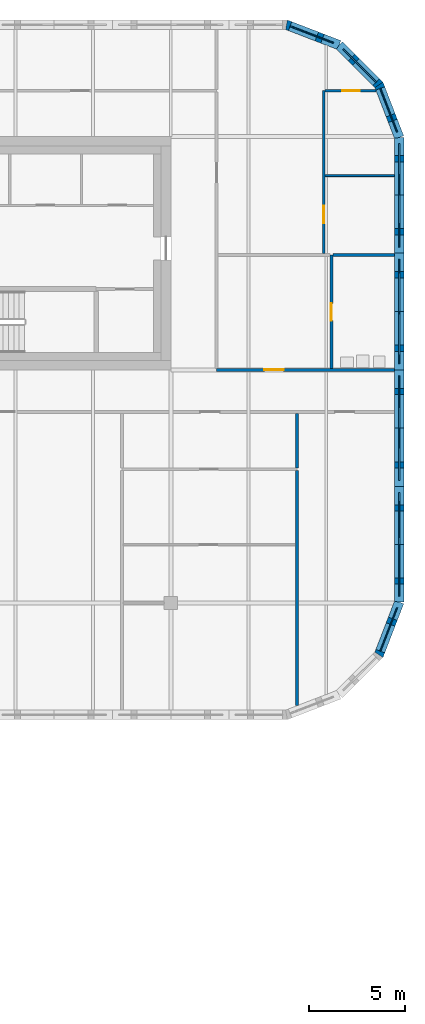
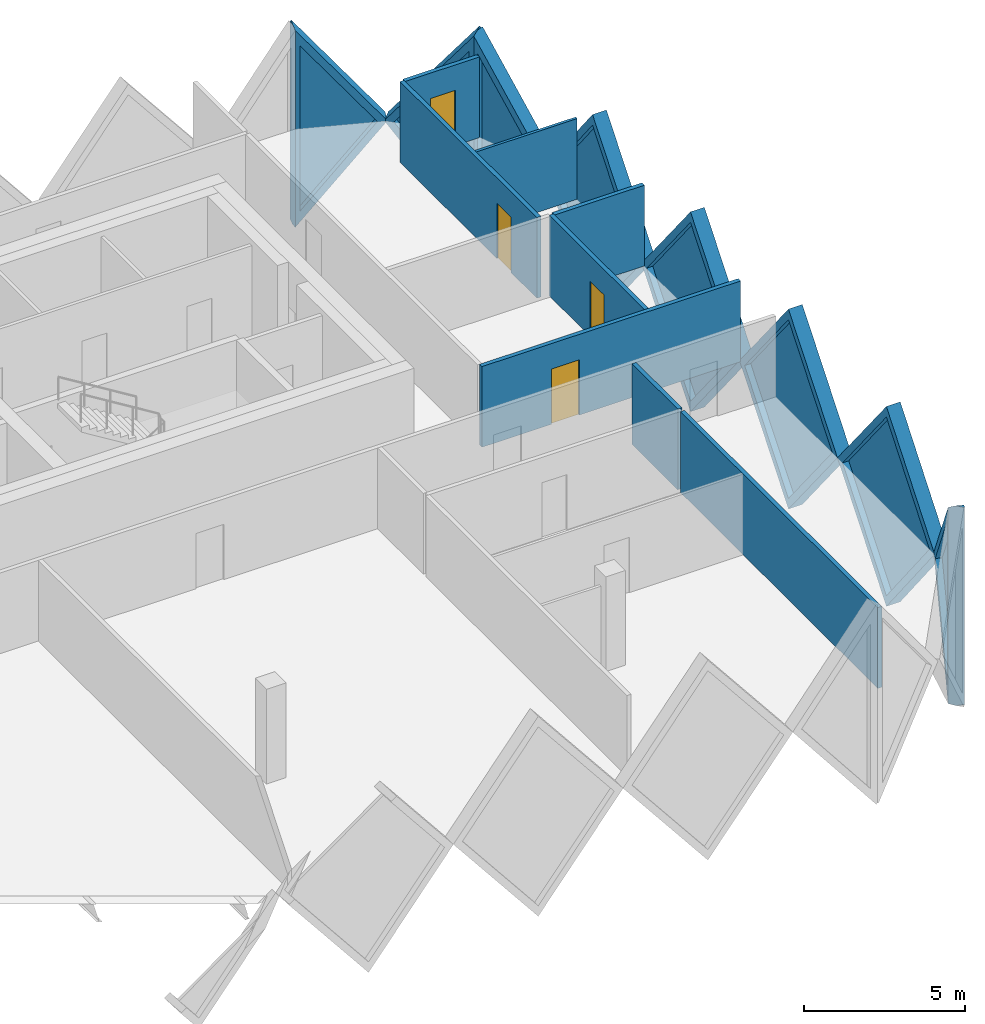
# One storey, part 15 of 19: 16 walls, 8 plates, 4 doors, 12 openings.
"""IFC4 building model written with IfcOpenShell, lengths in metres."""

import ifcopenshell
import ifcopenshell.guid

model = None  # the IFC model being written
_history = None  # IfcOwnerHistory: only IFC2X3 demands one
_inside = {}  # id of a spatial element -> (the spatial element, [elements in it])
_under = {}  # id of a project, library or spatial element -> (it, [spatial elements below it])
_declared = {}  # id of a project -> (the project, [libraries it declares])
_typed = {}  # id of a type object -> (the type object, [elements of that type])
_made_of = {}  # id of a material, layer set ... -> (it, [elements and type objects made of it])


def new_model(schema):
    """Start an empty IFC model of exactly this schema.

    Asked for "IFC4X3", IfcOpenShell would pick the latest addendum, in which some entities
    have other attributes; the version numbers below select the first issue.
    IFC2X3 requires an IfcOwnerHistory on every rooted entity: one is made here for all.
    """
    global model, _history
    if schema == "IFC4X3":
        model = ifcopenshell.file(schema_version=(4, 3, 0, 0))
    else:
        model = ifcopenshell.file(schema=schema)
    _inside.clear()
    _under.clear()
    _declared.clear()
    _typed.clear()
    _made_of.clear()
    _history = None
    if model.schema == "IFC2X3":
        org = make("IfcOrganization", Name="unknown")
        user = make(
            "IfcPersonAndOrganization",
            ThePerson=make("IfcPerson", FamilyName="unknown"),
            TheOrganization=org,
        )
        app = make(
            "IfcApplication",
            ApplicationDeveloper=org,
            Version="unknown",
            ApplicationFullName="unknown",
            ApplicationIdentifier="unknown",
        )
        _history = make(
            "IfcOwnerHistory",
            OwningUser=user,
            OwningApplication=app,
            ChangeAction="ADDED",
            CreationDate=0,
        )
    return model


def make(cls, **values):
    """One entity of the class cls with the attributes given. An attribute that is None is left unset."""
    return model.create_entity(
        cls, **{name: value for name, value in values.items() if value is not None}
    )


def rooted(cls, **values):
    """An entity with a GlobalId (a new one), such as an element, a storey or a relation."""
    return make(cls, GlobalId=ifcopenshell.guid.new(), OwnerHistory=_history, **values)


def si_unit(unit_type, name, prefix=None):
    """IfcSIUnit, for example si_unit("LENGTHUNIT", "METRE", prefix="MILLI")."""
    return make("IfcSIUnit", UnitType=unit_type, Prefix=prefix, Name=name)


def assignment(units):
    """IfcUnitAssignment: the units of a project."""
    return None if units is None else make("IfcUnitAssignment", Units=units)


def point(xyz):
    """IfcCartesianPoint."""
    return None if xyz is None else make("IfcCartesianPoint", Coordinates=xyz)


def direction(xyz):
    """IfcDirection."""
    return None if xyz is None else make("IfcDirection", DirectionRatios=xyz)


def frame(location, z_axis=None, x_axis=None):
    """IfcAxis2Placement3D, a coordinate frame: its origin and axes. An axis left out is left unset."""
    return make(
        "IfcAxis2Placement3D",
        Location=point(location),
        Axis=direction(z_axis),
        RefDirection=direction(x_axis),
    )


def frame_2d(location, x_axis=None):
    """IfcAxis2Placement2D, a coordinate frame in the plane: its origin and x axis."""
    return make(
        "IfcAxis2Placement2D", Location=point(location), RefDirection=direction(x_axis)
    )


def origin():
    """The frame at (0, 0, 0) with its axes left unset."""
    return frame((0.0, 0.0, 0.0))


def place(relative_to, where):
    """IfcLocalPlacement: puts the frame where relative to a parent placement (None: the world)."""
    return make(
        "IfcLocalPlacement", PlacementRelTo=relative_to, RelativePlacement=where
    )


def context(
    kind, dimensions, precision=None, world=None, true_north=None, identifier=None
):
    """IfcGeometricRepresentationContext, for example the 3D "Model" context."""
    return make(
        "IfcGeometricRepresentationContext",
        ContextIdentifier=identifier,
        ContextType=kind,
        CoordinateSpaceDimension=dimensions,
        Precision=precision,
        WorldCoordinateSystem=world,
        TrueNorth=true_north,
    )


def subcontext(parent, identifier, kind, view, scale=None):
    """IfcGeometricRepresentationSubContext, for example "Body" below "Model"."""
    return make(
        "IfcGeometricRepresentationSubContext",
        ContextIdentifier=identifier,
        ContextType=kind,
        ParentContext=parent,
        TargetScale=scale,
        TargetView=view,
    )


def project(units=None, contexts=None):
    """IfcProject with its units and contexts."""
    return rooted(
        "IfcProject",
        Name="project",
        RepresentationContexts=contexts,
        UnitsInContext=assignment(units),
    )


def spatial(cls, under=None, at=None, **own):
    """A site, building, storey or space (cls), placed at a placement, below another one or the project."""
    s = rooted(cls, ObjectPlacement=at, **own)
    if under is not None:
        _under.setdefault(under.id(), (under, []))[1].append(s)
    return s


def polyline(points):
    """IfcPolyline through the points."""
    return make("IfcPolyline", Points=[point(p) for p in points])


def profile(cls, at=None, kind="AREA", **sizes):
    """A parametric profile (cls). Its sizes go by their IFC names, for example OverallWidth=200.0."""
    return make(cls, ProfileType=kind, Position=at, **sizes)


def rectangle(**sizes):
    """IfcRectangleProfileDef."""
    return profile("IfcRectangleProfileDef", **sizes)


def outline(outer, holes=None, kind="AREA"):
    """IfcArbitraryClosedProfileDef: a profile drawn as a closed curve; with holes, ...WithVoids."""
    if holes is None:
        return make("IfcArbitraryClosedProfileDef", ProfileType=kind, OuterCurve=outer)
    return make(
        "IfcArbitraryProfileDefWithVoids",
        ProfileType=kind,
        OuterCurve=outer,
        InnerCurves=holes,
    )


def extrude(swept, where, along, depth):
    """IfcExtrudedAreaSolid: the profile swept, set in the frame where, extruded along a direction by depth."""
    return make(
        "IfcExtrudedAreaSolid",
        SweptArea=swept,
        Position=where,
        ExtrudedDirection=direction(along),
        Depth=depth,
    )


def faces_of(points, faces, orient=None, outer=None):
    """IfcFace entities. A face is a list of loops; a loop is a list of indices into points, from 0.

    orient and outer hold one flag for each loop. By default every Orientation is true, the
    first loop of a face is its IfcFaceOuterBound and the others are IfcFaceBound.
    """
    made = []
    for i, loops in enumerate(faces):
        bounds = []
        for j, loop in enumerate(loops):
            is_outer = j == 0 if outer is None else outer[i][j]
            bounds.append(
                make(
                    "IfcFaceOuterBound" if is_outer else "IfcFaceBound",
                    Bound=make("IfcPolyLoop", Polygon=[points[k] for k in loop]),
                    Orientation=True if orient is None else orient[i][j],
                )
            )
        made.append(make("IfcFace", Bounds=bounds))
    return made


def faceted_brep(points, faces, orient=None, outer=None, voids=None):
    """IfcFacetedBrep: a solid bounded by flat faces; with voids (closed shells), ...WithVoids."""
    shared = [point(p) for p in points]
    hull = make("IfcClosedShell", CfsFaces=faces_of(shared, faces, orient, outer))
    if voids is None:
        return make("IfcFacetedBrep", Outer=hull)
    return make(
        "IfcFacetedBrepWithVoids",
        Outer=hull,
        Voids=[
            make(cls, CfsFaces=faces_of(shared, fs, o, b)) for cls, fs, o, b in voids
        ],
    )


def shape(context_of_items, identifier, shape_type, items):
    """IfcShapeRepresentation: the items that make up one representation, for example the "Body"."""
    return make(
        "IfcShapeRepresentation",
        ContextOfItems=context_of_items,
        RepresentationIdentifier=identifier,
        RepresentationType=shape_type,
        Items=items,
    )


def source(mapping_origin, context_of_items, identifier, shape_type, items):
    """IfcRepresentationMap: a shape defined once, which mapped items show again and again."""
    return make(
        "IfcRepresentationMap",
        MappingOrigin=mapping_origin,
        MappedRepresentation=shape(context_of_items, identifier, shape_type, items),
    )


def transform(
    local_origin,
    x_axis=None,
    y_axis=None,
    z_axis=None,
    scale=None,
    scale2=None,
    scale3=None,
    uniform=True,
):
    """IfcCartesianTransformationOperator3D, or its non-uniform kind. x_axis, y_axis, z_axis: its Axis1, 2, 3."""
    if uniform:
        return make(
            "IfcCartesianTransformationOperator3D",
            Axis1=direction(x_axis),
            Axis2=direction(y_axis),
            LocalOrigin=point(local_origin),
            Scale=scale,
            Axis3=direction(z_axis),
        )
    return make(
        "IfcCartesianTransformationOperator3DnonUniform",
        Axis1=direction(x_axis),
        Axis2=direction(y_axis),
        LocalOrigin=point(local_origin),
        Scale=scale,
        Axis3=direction(z_axis),
        Scale2=scale2,
        Scale3=scale3,
    )


def mapped(mapping_source, mapping_target):
    """IfcMappedItem: shows the shape of a source again, moved by a transform."""
    return make(
        "IfcMappedItem", MappingSource=mapping_source, MappingTarget=mapping_target
    )


def material(Name=None, Category=None):
    """IfcMaterial."""
    return make("IfcMaterial", Name=Name, Category=Category)


def layer(
    of_material, thickness, ventilated=None, Name=None, Category=None, Priority=None
):
    """IfcMaterialLayer: one layer of a wall or slab, of a material (None: an air gap)."""
    return make(
        "IfcMaterialLayer",
        Material=of_material,
        LayerThickness=thickness,
        IsVentilated=ventilated,
        Name=Name,
        Category=Category,
        Priority=Priority,
    )


def layer_set(layers, Name=None):
    """IfcMaterialLayerSet."""
    return make("IfcMaterialLayerSet", MaterialLayers=layers, LayerSetName=Name)


def made_of(thing, what):
    """Note that an element or type object is made of a material, layer set ...; save() writes the relation."""
    if what is not None:
        _made_of.setdefault(what.id(), (what, []))[1].append(thing)
    return thing


def type_object(cls, material=None, **own):
    """A type object (cls), such as IfcWallType, which elements share."""
    return made_of(rooted(cls, **own), material)


def element(
    cls,
    number,
    at=None,
    inside=None,
    cuts=None,
    type_object=None,
    material=None,
    context=None,
    identifier="Body",
    shape_type=None,
    held_by="IfcProductDefinitionShape",
    body=None,
    shapes=None,
    **own,
):
    """One element of the class cls, such as IfcWall. Its Tag is "e" and its number.

    at: its placement. inside: the storey or other place that contains it. cuts: it is an
    opening in that element (IfcRelVoidsElement). A single representation is given by context,
    identifier, shape_type and body (its items); several are given by shapes. held_by: the class
    of the entity that holds the representations. save() writes the other relations.
    """
    e = rooted(cls, Tag="e%d" % number, ObjectPlacement=at, **own)
    if body is not None:
        shapes = [shape(context, identifier, shape_type, body)]
    if shapes is not None:
        e.Representation = make(held_by, Representations=shapes)
    if inside is not None:
        _inside.setdefault(inside.id(), (inside, []))[1].append(e)
    if cuts is not None:
        rooted(
            "IfcRelVoidsElement", RelatingBuildingElement=cuts, RelatedOpeningElement=e
        )
    if type_object is not None:
        _typed.setdefault(type_object.id(), (type_object, []))[1].append(e)
    return made_of(e, material)


def fill(opening, filler):
    """IfcRelFillsElement: the door or window that sits in an opening."""
    return rooted(
        "IfcRelFillsElement",
        RelatingOpeningElement=opening,
        RelatedBuildingElement=filler,
    )


def aggregate(whole, parts):
    """IfcRelAggregates: a whole, such as a stair, and the parts it consists of."""
    return rooted("IfcRelAggregates", RelatingObject=whole, RelatedObjects=parts)


def save(model, path):
    """Write the relations noted so far, then the file.

    IfcRelAggregates (storeys below a building ...), IfcRelContainedInSpatialStructure (elements
    in a storey), IfcRelDefinesByType, IfcRelAssociatesMaterial and IfcRelDeclares: one each for
    every whole, place, type object, material and project.
    """
    for whole, parts in _under.values():
        aggregate(whole, parts)
    for where, things in _inside.values():
        rooted(
            "IfcRelContainedInSpatialStructure",
            RelatedElements=things,
            RelatingStructure=where,
        )
    for kind, things in _typed.values():
        rooted("IfcRelDefinesByType", RelatedObjects=things, RelatingType=kind)
    for what, things in _made_of.values():
        rooted("IfcRelAssociatesMaterial", RelatedObjects=things, RelatingMaterial=what)
    for by, libraries in _declared.values():
        rooted("IfcRelDeclares", RelatingContext=by, RelatedDefinitions=libraries)
    model.write(path)


model = new_model("IFC4")

# Units and contexts
model_context = context("Model", 3, precision=1e-05, world=origin(), true_north=direction((0.0, 1.0)))
body_context = subcontext(model_context, "Body", "Model", "MODEL_VIEW")
ifc_project = project(units=[si_unit("LENGTHUNIT", "METRE"), si_unit("AREAUNIT", "SQUARE_METRE"), si_unit("VOLUMEUNIT", "CUBIC_METRE"), si_unit("PLANEANGLEUNIT", "RADIAN"), si_unit("MASSUNIT", "GRAM", prefix="KILO")], contexts=[model_context])

# Site, building, storey
site_placement = place(None, origin())
site = spatial("IfcSite", under=ifc_project, at=site_placement, CompositionType="ELEMENT")
building_placement = place(site_placement, origin())
building = spatial("IfcBuilding", under=site, at=building_placement, Name="Tessera Gate Towers", CompositionType="ELEMENT")
storey_placement = place(building_placement, frame((0.0, 0.0, 83.800048828125)))
storey = spatial("IfcBuildingStorey", under=building, at=storey_placement, Name="L20", CompositionType="ELEMENT", Elevation=83.800048828125)

# Wall, opening, door
ifc_material_1 = material(Name="Gypsum board on steel studs, mineral wool", Category="steel")
ifc_layer_1 = layer(ifc_material_1, 0.14990234375)
ifc_layer_set_1 = layer_set([ifc_layer_1], Name="CORRIDOR WALL 150")
wall_type_1 = type_object("IfcWallType", Name="CORRIDOR WALL 150", PredefinedType="PARTITIONING", material=ifc_layer_set_1)
wall_1_placement = place(storey_placement, frame((124.39990234375, 36.60009765625, 0.0), z_axis=(0.0, 0.0, 1.0), x_axis=(1.0, 0.0, 0.0)))
wall_1 = element("IfcWall", 1, at=wall_1_placement, inside=storey, type_object=wall_type_1, Name="T2-L20-PW-014", PredefinedType="PARTITIONING", context=body_context, shape_type="SweptSolid", body=[
    extrude(rectangle(XDim=9.300048828125, YDim=0.14990234375, at=frame_2d((4.64990234375, 0.0))), origin(), (0.0, 0.0, 1.0), 3.06689453125),
])
shared_shape_1 = source(origin(), body_context, "Body", "SweptSolid", [
    extrude(rectangle(XDim=1.0, YDim=2.10009765625, at=frame_2d((0.5, 1.050048828125))), frame((0.0, 0.0849609375, 0.0), z_axis=(0.0, -1.0, 0.0), x_axis=(1.0, 0.0, 0.0)), (0.0, 0.0, 1.0), 0.169921875),
])
opening_1_placement = place(wall_1_placement, frame((2.5, 0.0, 0.0)))
opening_1 = element("IfcOpeningElement", 2, at=opening_1_placement, cuts=wall_1, Name="Opening D2100FD60-B08-09", PredefinedType="OPENING", context=body_context, shape_type="MappedRepresentation", body=[
    mapped(shared_shape_1, transform((0.0, 0.0, 0.0), scale=1.0)),
])
ifc_material_2 = material(Name="Timber door leaf in steel frame", Category="steel")
door_type_1 = type_object("IfcDoorType", Name="TENANCY ENTRANCE DOOR 1000 FD60", OperationType="NOTDEFINED", PredefinedType="DOOR", material=ifc_material_2)
shared_shape_2 = source(origin(), body_context, "Body", "SweptSolid", [
    extrude(rectangle(XDim=1.0, YDim=2.10009765625, at=frame_2d((0.5, 1.050048828125))), frame((0.0, 0.02490234375, 0.0), z_axis=(0.0, -1.0, 0.0), x_axis=(1.0, 0.0, 0.0)), (0.0, 0.0, 1.0), 0.050048828125),
])
door_1_placement = place(opening_1_placement, origin())
door_1 = element("IfcDoor", 3, at=door_1_placement, inside=storey, type_object=door_type_1, Name="T2-L20-PD-017", OperationType="SINGLE_SWING_LEFT", OverallHeight=2.10009765625, OverallWidth=1.0, PredefinedType="DOOR", context=body_context, shape_type="MappedRepresentation", body=[
    mapped(shared_shape_2, transform((0.0, 0.0, 0.0), scale=1.0)),
])
fill(opening_1, door_1)

# Walls
ifc_material_3 = material(Name="Gypsum board on steel studs", Category="steel")
ifc_layer_2 = layer(ifc_material_3, 0.10009765625)
ifc_layer_set_2 = layer_set([ifc_layer_2], Name="PARTITION 100")
wall_type_2 = type_object("IfcWallType", Name="PARTITION 100", PredefinedType="PARTITIONING", material=ifc_layer_set_2)
wall_2_placement = place(storey_placement, frame((130.075927734375, 46.7548828125, 0.0), z_axis=(0.0, 0.0, 1.0), x_axis=(1.0, 0.0, 0.0)))
element("IfcWall", 4, at=wall_2_placement, inside=storey, type_object=wall_type_2, Name="T2-L20-PW-024", PredefinedType="PARTITIONING", context=body_context, shape_type="SweptSolid", body=[
    extrude(rectangle(XDim=3.6240234375, YDim=0.10009765625, at=frame_2d((1.81201171875, 0.0))), origin(), (0.0, 0.0, 1.0), 3.06689453125),
])
ifc_material_4 = material(Name="Gypsum board on steel studs, mineral wool", Category="steel")
ifc_layer_3 = layer(ifc_material_4, 0.14990234375)
ifc_layer_set_3 = layer_set([ifc_layer_3], Name="TENANCY WALL 150")
wall_type_3 = type_object("IfcWallType", Name="TENANCY WALL 150", PredefinedType="PARTITIONING", material=ifc_layer_set_3)
wall_3_placement = place(storey_placement, frame((128.60009765625, 19.02880859375, 0.0), z_axis=(0.0, 0.0, 1.0), x_axis=(0.0, 1.0, 0.0)))
element("IfcWall", 5, at=wall_3_placement, inside=storey, type_object=wall_type_3, Name="T2-L20-PW-004", PredefinedType="PARTITIONING", context=body_context, shape_type="SweptSolid", body=[
    extrude(rectangle(XDim=12.295166015625, YDim=0.14990234375, at=frame_2d((6.1474609375, 0.0))), origin(), (0.0, 0.0, 1.0), 3.06689453125),
])
wall_4_placement = place(storey_placement, frame((128.60009765625, 31.47607421875, 0.0), z_axis=(0.0, 0.0, 1.0), x_axis=(0.0, 1.0, 0.0)))
element("IfcWall", 6, at=wall_4_placement, inside=storey, type_object=wall_type_3, Name="T2-L20-PW-010", PredefinedType="PARTITIONING", context=body_context, shape_type="SweptSolid", body=[
    extrude(rectangle(XDim=2.847900390625, YDim=0.14990234375, at=frame_2d((1.423828125, 0.0))), origin(), (0.0, 0.0, 1.0), 3.06689453125),
])

# Wall, opening, door
wall_5_placement = place(storey_placement, frame((130.39990234375, 42.60009765625, 0.0), z_axis=(0.0, 0.0, 1.0), x_axis=(0.0, -1.0, 0.0)))
wall_5 = element("IfcWall", 7, at=wall_5_placement, inside=storey, type_object=wall_type_3, Name="T2-L20-PW-017", PredefinedType="PARTITIONING", context=body_context, shape_type="SweptSolid", body=[
    extrude(rectangle(XDim=5.924072265625, YDim=0.14990234375, at=frame_2d((2.9619140625, 0.0))), origin(), (0.0, 0.0, 1.0), 3.06689453125),
])
shared_shape_3 = source(origin(), body_context, "Body", "SweptSolid", [
    extrude(rectangle(XDim=0.89990234375, YDim=2.10009765625, at=frame_2d((0.449951171875, 1.050048828125))), frame((0.0, 0.0849609375, 0.0), z_axis=(0.0, -1.0, 0.0), x_axis=(1.0, 0.0, 0.0)), (0.0, 0.0, 1.0), 0.169921875),
])
opening_2_placement = place(wall_5_placement, frame((2.52392578125, 0.0, 0.0)))
opening_2 = element("IfcOpeningElement", 8, at=opening_2_placement, cuts=wall_5, Name="Opening D190-B08-05", PredefinedType="OPENING", context=body_context, shape_type="MappedRepresentation", body=[
    mapped(shared_shape_3, transform((0.0, 0.0, 0.0), scale=1.0)),
])
ifc_material_5 = material(Name="Timber door leaf in steel frame", Category="steel")
door_type_2 = type_object("IfcDoorType", Name="INTERNAL DOOR 900 NOT RATED", OperationType="NOTDEFINED", PredefinedType="DOOR", material=ifc_material_5)
shared_shape_4 = source(origin(), body_context, "Body", "SweptSolid", [
    extrude(rectangle(XDim=0.89990234375, YDim=2.10009765625, at=frame_2d((0.449951171875, 1.050048828125))), frame((0.0, 0.02490234375, 0.0), z_axis=(0.0, -1.0, 0.0), x_axis=(1.0, 0.0, 0.0)), (0.0, 0.0, 1.0), 0.050048828125),
])
door_2_placement = place(opening_2_placement, origin())
door_2 = element("IfcDoor", 9, at=door_2_placement, inside=storey, type_object=door_type_2, Name="T2-L20-PD-006", OperationType="SINGLE_SWING_RIGHT", OverallHeight=2.10009765625, OverallWidth=0.89990234375, PredefinedType="DOOR", context=body_context, shape_type="MappedRepresentation", body=[
    mapped(shared_shape_4, transform((0.0, 0.0, 0.0), scale=1.0)),
])
fill(opening_2, door_2)

# Wall
wall_6_placement = place(storey_placement, frame((130.47607421875, 42.60009765625, 0.0), z_axis=(0.0, 0.0, 1.0), x_axis=(1.0, 0.0, 0.0)))
element("IfcWall", 10, at=wall_6_placement, inside=storey, type_object=wall_type_3, Name="T2-L20-PW-021", PredefinedType="PARTITIONING", context=body_context, shape_type="SweptSolid", body=[
    extrude(rectangle(XDim=3.223876953125, YDim=0.14990234375, at=frame_2d((1.61181640625, 0.0))), origin(), (0.0, 0.0, 1.0), 3.06689453125),
])

# Wall, opening, door
wall_7_placement = place(storey_placement, frame((130.0, 51.199951171875, 0.0), z_axis=(0.0, 0.0, 1.0), x_axis=(0.0, -1.0, 0.0)))
wall_7 = element("IfcWall", 11, at=wall_7_placement, inside=storey, type_object=wall_type_3, Name="T2-L20-PW-022", PredefinedType="PARTITIONING", context=body_context, shape_type="SweptSolid", body=[
    extrude(rectangle(XDim=8.52392578125, YDim=0.14990234375, at=frame_2d((4.261962890625, 0.0))), origin(), (0.0, 0.0, 1.0), 3.06689453125),
])
opening_3_placement = place(wall_7_placement, frame((6.02392578125, 0.0, 0.0)))
opening_3 = element("IfcOpeningElement", 12, at=opening_3_placement, cuts=wall_7, Name="Opening D190-B08-01", PredefinedType="OPENING", context=body_context, shape_type="MappedRepresentation", body=[
    mapped(shared_shape_3, transform((0.0, 0.0, 0.0), scale=1.0)),
])
door_3_placement = place(opening_3_placement, origin())
door_3 = element("IfcDoor", 13, at=door_3_placement, inside=storey, type_object=door_type_2, Name="T2-L20-PD-001", OperationType="SINGLE_SWING_RIGHT", OverallHeight=2.10009765625, OverallWidth=0.89990234375, PredefinedType="DOOR", context=body_context, shape_type="MappedRepresentation", body=[
    mapped(shared_shape_4, transform((0.0, 0.0, 0.0), scale=1.0)),
])
fill(opening_3, door_3)

wall_8_placement = place(storey_placement, frame((132.73828125, 51.199951171875, 0.0), z_axis=(0.0, 0.0, 1.0), x_axis=(-1.0, 0.0, 0.0)))
wall_8 = element("IfcWall", 14, at=wall_8_placement, inside=storey, type_object=wall_type_3, Name="T2-L20-PW-029", PredefinedType="PARTITIONING", context=body_context, shape_type="SweptSolid", body=[
    extrude(rectangle(XDim=2.662353515625, YDim=0.14990234375, at=frame_2d((1.3310546875, 0.0))), origin(), (0.0, 0.0, 1.0), 3.06689453125),
])
opening_4_placement = place(wall_8_placement, frame((0.8623046875, 0.0, 0.0)))
opening_4 = element("IfcOpeningElement", 15, at=opening_4_placement, cuts=wall_8, Name="Opening D190-B08-06", PredefinedType="OPENING", context=body_context, shape_type="MappedRepresentation", body=[
    mapped(shared_shape_3, transform((0.0, 0.0, 0.0), scale=1.0)),
])
door_4_placement = place(opening_4_placement, origin())
door_4 = element("IfcDoor", 16, at=door_4_placement, inside=storey, type_object=door_type_2, Name="T2-L20-PD-008", OperationType="SINGLE_SWING_RIGHT", OverallHeight=2.10009765625, OverallWidth=0.89990234375, PredefinedType="DOOR", context=body_context, shape_type="MappedRepresentation", body=[
    mapped(shared_shape_4, transform((0.0, 0.0, 0.0), scale=1.0)),
])
fill(opening_4, door_4)

# Wall, opening, plate
ifc_material_6 = material(Name="Precast concrete C60/75 white", Category="concrete")
ifc_layer_4 = layer(ifc_material_6, 0.5)
ifc_layer_set_4 = layer_set([ifc_layer_4], Name="TS1 tessera")
wall_type_4 = type_object("IfcWallType", Name="TS1 tessera", PredefinedType="SOLIDWALL", material=ifc_layer_set_4)
shared_shape_5 = source(origin(), body_context, "Body", "Brep", [
    faceted_brep([(3.00341796875, -0.25, 0.0), (6.053466796875, -0.25, 3.800048828125), (3.00341796875, -0.25, 7.60009765625), (0.0, -0.25, 3.800048828125), (0.046630859375, 0.25, 3.85888671875), (3.00341796875, 0.25, 7.60009765625), (6.053466796875, 0.25, 3.800048828125), (3.00341796875, 0.25, 0.0), (0.046630859375, 0.25, 3.7412109375), (0.0, 0.0, 3.800048828125)], [[[0, 1, 2, 3]], [[4, 5, 6, 7, 8]], [[7, 6, 1, 0]], [[6, 5, 2, 1]], [[5, 4, 9, 3, 2]], [[8, 7, 0, 3, 9]], [[8, 9, 4]]]),
])
wall_9_placement = place(storey_placement, frame((133.949951171875, 24.446533203125, -3.800048828125), z_axis=(0.0, 0.0, 1.0), x_axis=(0.0, 1.0, 0.0)))
wall_9 = element("IfcWall", 17, at=wall_9_placement, inside=storey, type_object=wall_type_4, Name="Precast tessera T2 TS1-0239", PredefinedType="SOLIDWALL", context=body_context, shape_type="MappedRepresentation", body=[
    mapped(shared_shape_5, transform((0.0, 0.0, 0.0), scale=1.0)),
])
shared_shape_6 = source(origin(), body_context, "Body", "SweptSolid", [
    extrude(outline(polyline([(3.0048828125, 0.4013671875), (5.73291015625, 3.800048828125), (3.0048828125, 7.19873046875), (0.318603515625, 3.800048828125), (3.0048828125, 0.4013671875)])), frame((0.0, 0.260009765625, 0.0), z_axis=(0.0, -1.0, 0.0), x_axis=(1.0, 0.0, 0.0)), (0.0, 0.0, 1.0), 0.52001953125),
])
opening_5_placement = place(wall_9_placement, origin())
opening_5 = element("IfcOpeningElement", 18, at=opening_5_placement, cuts=wall_9, Name="Opening T2-PL2-0453", PredefinedType="OPENING", context=body_context, shape_type="MappedRepresentation", body=[
    mapped(shared_shape_6, transform((0.0, 0.0, 0.0), scale=1.0)),
])
ifc_material_7 = material(Name="Low-e laminated glass", Category="glass")
ifc_layer_5 = layer(ifc_material_7, 0.06005859375)
ifc_layer_set_5 = layer_set([ifc_layer_5], Name="PL2 rhombic pane")
plate_type = type_object("IfcPlateType", Name="PL2 rhombic pane", PredefinedType="SHEET", material=ifc_layer_set_5)
shared_shape_7 = source(origin(), body_context, "Body", "SweptSolid", [
    extrude(outline(polyline([(3.0048828125, 0.4013671875), (5.73291015625, 3.800048828125), (3.0048828125, 7.19873046875), (0.318603515625, 3.800048828125), (3.0048828125, 0.4013671875)])), frame((0.0, 0.030029296875, 0.0), z_axis=(0.0, -1.0, 0.0), x_axis=(1.0, 0.0, 0.0)), (0.0, 0.0, 1.0), 0.06005859375),
])
plate_1_placement = place(opening_5_placement, origin())
plate_1 = element("IfcPlate", 19, at=plate_1_placement, inside=storey, type_object=plate_type, Name="Glass pane T2 PL2-0453", PredefinedType="SHEET", context=body_context, shape_type="MappedRepresentation", body=[
    mapped(shared_shape_7, transform((0.0, 0.0, 0.0), scale=1.0)),
])
fill(opening_5, plate_1)

shared_shape_8 = source(origin(), body_context, "Body", "Brep", [
    faceted_brep([(3.050048828125, -0.25, 0.0), (6.099853515625, -0.25, 3.7998046875), (6.099853515625, -0.25, 3.80029296875), (3.050048828125, -0.25, 7.60009765625), (0.0, -0.25, 3.800048828125), (0.0, 0.25, 3.800048828125), (3.050048828125, 0.25, 7.60009765625), (6.099853515625, 0.25, 3.80029296875), (6.099853515625, 0.25, 3.7998046875), (3.050048828125, 0.25, 0.0)], [[[0, 1, 2, 3, 4]], [[5, 6, 7, 8, 9]], [[9, 8, 1, 0]], [[7, 6, 3, 2]], [[6, 5, 4, 3]], [[5, 9, 0, 4]], [[1, 8, 7, 2]]]),
])
wall_10_placement = place(storey_placement, frame((133.949951171875, 36.60009765625, -3.800048828125), z_axis=(0.0, 0.0, 1.0), x_axis=(0.0, 1.0, 0.0)))
wall_10 = element("IfcWall", 20, at=wall_10_placement, inside=storey, type_object=wall_type_4, Name="Precast tessera T2 TS1-0241", PredefinedType="SOLIDWALL", context=body_context, shape_type="MappedRepresentation", body=[
    mapped(shared_shape_8, transform((0.0, 0.0, 0.0), scale=1.0)),
])
shared_shape_9 = source(origin(), body_context, "Body", "SweptSolid", [
    extrude(outline(polyline([(3.050048828125, 0.3994140625), (5.779541015625, 3.800048828125), (3.050048828125, 7.20068359375), (0.320556640625, 3.800048828125), (3.050048828125, 0.3994140625)])), frame((0.0, 0.260009765625, 0.0), z_axis=(0.0, -1.0, 0.0), x_axis=(1.0, 0.0, 0.0)), (0.0, 0.0, 1.0), 0.52001953125),
])
opening_6_placement = place(wall_10_placement, origin())
opening_6 = element("IfcOpeningElement", 21, at=opening_6_placement, cuts=wall_10, Name="Opening T2-PL2-0455", PredefinedType="OPENING", context=body_context, shape_type="MappedRepresentation", body=[
    mapped(shared_shape_9, transform((0.0, 0.0, 0.0), scale=1.0)),
])
shared_shape_10 = source(origin(), body_context, "Body", "SweptSolid", [
    extrude(outline(polyline([(3.050048828125, 0.3994140625), (5.779541015625, 3.800048828125), (3.050048828125, 7.20068359375), (0.320556640625, 3.800048828125), (3.050048828125, 0.3994140625)])), frame((0.0, 0.030029296875, 0.0), z_axis=(0.0, -1.0, 0.0), x_axis=(1.0, 0.0, 0.0)), (0.0, 0.0, 1.0), 0.06005859375),
])
plate_2_placement = place(opening_6_placement, origin())
plate_2 = element("IfcPlate", 22, at=plate_2_placement, inside=storey, type_object=plate_type, Name="Glass pane T2 PL2-0455", PredefinedType="SHEET", context=body_context, shape_type="MappedRepresentation", body=[
    mapped(shared_shape_10, transform((0.0, 0.0, 0.0), scale=1.0)),
])
fill(opening_6, plate_2)

shared_shape_11 = source(origin(), body_context, "Body", "SweptSolid", [
    extrude(outline(polyline([(3.050048828125, 0.0), (6.10009765625, 3.800048828125), (3.050048828125, 7.60009765625), (0.0, 3.800048828125), (3.050048828125, 0.0)])), frame((0.0, 0.25, 0.0), z_axis=(0.0, -1.0, 0.0), x_axis=(1.0, 0.0, 0.0)), (0.0, 0.0, 1.0), 0.5),
])
wall_11_placement = place(storey_placement, frame((133.949951171875, 30.5, -3.800048828125), z_axis=(0.0, 0.0, 1.0), x_axis=(0.0, 1.0, 0.0)))
wall_11 = element("IfcWall", 23, at=wall_11_placement, inside=storey, type_object=wall_type_4, Name="Precast tessera T2 TS1-0240", PredefinedType="SOLIDWALL", context=body_context, shape_type="MappedRepresentation", body=[
    mapped(shared_shape_11, transform((0.0, 0.0, 0.0), scale=1.0)),
])
opening_7_placement = place(wall_11_placement, origin())
opening_7 = element("IfcOpeningElement", 24, at=opening_7_placement, cuts=wall_11, Name="Opening T2-PL2-0454", PredefinedType="OPENING", context=body_context, shape_type="MappedRepresentation", body=[
    mapped(shared_shape_9, transform((0.0, 0.0, 0.0), scale=1.0)),
])
plate_3_placement = place(opening_7_placement, origin())
plate_3 = element("IfcPlate", 25, at=plate_3_placement, inside=storey, type_object=plate_type, Name="Glass pane T2 PL2-0454", PredefinedType="SHEET", context=body_context, shape_type="MappedRepresentation", body=[
    mapped(shared_shape_10, transform((0.0, 0.0, 0.0), scale=1.0)),
])
fill(opening_7, plate_3)

shared_shape_12 = source(origin(), body_context, "Body", "Brep", [
    faceted_brep([(3.050048828125, -0.25, 0.0), (6.053466796875, -0.25, 3.800048828125), (3.050048828125, -0.25, 7.60009765625), (0.0, -0.25, 3.800048828125), (0.0, 0.25, 3.800048828125), (3.050048828125, 0.25, 7.60009765625), (6.0068359375, 0.25, 3.85888671875), (6.0068359375, 0.25, 3.7412109375), (3.050048828125, 0.25, 0.0), (6.053466796875, 0.0, 3.800048828125)], [[[0, 1, 2, 3]], [[4, 5, 6, 7, 8]], [[8, 7, 9, 1, 0]], [[6, 5, 2, 1, 9]], [[5, 4, 3, 2]], [[4, 8, 0, 3]], [[9, 7, 6]]]),
])
wall_12_placement = place(storey_placement, frame((133.949951171875, 42.699951171875, -3.800048828125), z_axis=(0.0, 0.0, 1.0), x_axis=(0.0, 1.0, 0.0)))
wall_12 = element("IfcWall", 26, at=wall_12_placement, inside=storey, type_object=wall_type_4, Name="Precast tessera T2 TS1-0242", PredefinedType="SOLIDWALL", context=body_context, shape_type="MappedRepresentation", body=[
    mapped(shared_shape_12, transform((0.0, 0.0, 0.0), scale=1.0)),
])
shared_shape_13 = source(origin(), body_context, "Body", "SweptSolid", [
    extrude(outline(polyline([(3.048583984375, 0.4013671875), (5.73486328125, 3.800048828125), (3.048583984375, 7.19873046875), (0.320556640625, 3.800048828125), (3.048583984375, 0.4013671875)])), frame((0.0, 0.260009765625, 0.0), z_axis=(0.0, -1.0, 0.0), x_axis=(1.0, 0.0, 0.0)), (0.0, 0.0, 1.0), 0.52001953125),
])
opening_8_placement = place(wall_12_placement, origin())
opening_8 = element("IfcOpeningElement", 27, at=opening_8_placement, cuts=wall_12, Name="Opening T2-PL2-0456", PredefinedType="OPENING", context=body_context, shape_type="MappedRepresentation", body=[
    mapped(shared_shape_13, transform((0.0, 0.0, 0.0), scale=1.0)),
])
shared_shape_14 = source(origin(), body_context, "Body", "SweptSolid", [
    extrude(outline(polyline([(3.048583984375, 0.4013671875), (5.73486328125, 3.800048828125), (3.048583984375, 7.19873046875), (0.320556640625, 3.800048828125), (3.048583984375, 0.4013671875)])), frame((0.0, 0.030029296875, 0.0), z_axis=(0.0, -1.0, 0.0), x_axis=(1.0, 0.0, 0.0)), (0.0, 0.0, 1.0), 0.06005859375),
])
plate_4_placement = place(opening_8_placement, origin())
plate_4 = element("IfcPlate", 28, at=plate_4_placement, inside=storey, type_object=plate_type, Name="Glass pane T2 PL2-0456", PredefinedType="SHEET", context=body_context, shape_type="MappedRepresentation", body=[
    mapped(shared_shape_14, transform((0.0, 0.0, 0.0), scale=1.0)),
])
fill(opening_8, plate_4)

ifc_material_8 = material(Name="Precast concrete C60/75 white", Category="concrete")
ifc_layer_6 = layer(ifc_material_8, 0.5)
ifc_layer_set_6 = layer_set([ifc_layer_6], Name="TS3 corner tessera")
wall_type_5 = type_object("IfcWallType", Name="TS3 corner tessera", PredefinedType="SOLIDWALL", material=ifc_layer_set_6)
shared_shape_15 = source(origin(), body_context, "Body", "Brep", [
    faceted_brep([(2.950439453125, -0.25, 0.0), (3.00341796875, -0.25, 0.068359375), (3.00341796875, -0.25, 7.53173828125), (2.950439453125, -0.25, 7.60009765625), (0.0, -0.25, 3.800048828125), (0.046630859375, 0.25, 3.860107421875), (2.897705078125, 0.25, 7.531982421875), (2.897705078125, 0.25, 0.068115234375), (0.046630859375, 0.25, 3.739990234375), (2.950439453125, 0.00048828125, 0.0), (2.950439453125, 0.00048828125, 7.60009765625), (0.0, 0.0, 3.800048828125)], [[[0, 1, 2, 3, 4]], [[5, 6, 7, 8]], [[1, 0, 9]], [[10, 3, 2]], [[6, 5, 11, 4, 3, 10]], [[8, 7, 9, 0, 4, 11]], [[8, 11, 5]], [[1, 9, 7, 6, 10, 2]]]),
])
wall_13_placement = place(storey_placement, frame((133.949951171875, 48.75341796875, -3.800048828125), z_axis=(0.0, 0.0, 1.0), x_axis=(-0.359855894603, 0.933007896601, 0.0)))
wall_13 = element("IfcWall", 29, at=wall_13_placement, inside=storey, type_object=wall_type_5, Name="Precast corner tessera T2 TS3-0295", PredefinedType="SOLIDWALL", context=body_context, shape_type="MappedRepresentation", body=[
    mapped(shared_shape_15, transform((0.0, 0.0, 0.0), scale=1.0)),
])
shared_shape_16 = source(origin(), body_context, "Body", "SweptSolid", [
    extrude(outline(polyline([(2.75048828125, 6.934814453125), (0.31640625, 3.800048828125), (2.75048828125, 0.665283203125), (2.75048828125, 6.934814453125)])), frame((0.0, 0.260009765625, 0.0), z_axis=(0.0, -1.0, 0.0), x_axis=(1.0, 0.0, 0.0)), (0.0, 0.0, 1.0), 0.52001953125),
])
opening_9_placement = place(wall_13_placement, origin())
opening_9 = element("IfcOpeningElement", 30, at=opening_9_placement, cuts=wall_13, Name="Opening T2-PL2-0457", PredefinedType="OPENING", context=body_context, shape_type="MappedRepresentation", body=[
    mapped(shared_shape_16, transform((0.0, 0.0, 0.0), scale=1.0)),
])
shared_shape_17 = source(origin(), body_context, "Body", "SweptSolid", [
    extrude(outline(polyline([(2.75048828125, 6.934814453125), (0.31640625, 3.800048828125), (2.75048828125, 0.665283203125), (2.75048828125, 6.934814453125)])), frame((0.0, 0.030029296875, 0.0), z_axis=(0.0, -1.0, 0.0), x_axis=(1.0, 0.0, 0.0)), (0.0, 0.0, 1.0), 0.06005859375),
])
plate_5_placement = place(opening_9_placement, origin())
plate_5 = element("IfcPlate", 31, at=plate_5_placement, inside=storey, type_object=plate_type, Name="Glass pane T2 PL2-0457", PredefinedType="SHEET", context=body_context, shape_type="MappedRepresentation", body=[
    mapped(shared_shape_17, transform((0.0, 0.0, 0.0), scale=1.0)),
])
fill(opening_9, plate_5)

shared_shape_18 = source(origin(), body_context, "Body", "Brep", [
    faceted_brep([(0.052978515625, -0.25, 0.0), (2.9970703125, -0.25, 3.800048828125), (0.052978515625, -0.25, 7.60009765625), (0.0, -0.25, 7.531982421875), (0.0, -0.25, 0.068115234375), (0.10595703125, 0.25, 7.53173828125), (2.944091796875, 0.25, 3.8681640625), (2.944091796875, 0.25, 3.73193359375), (0.10595703125, 0.25, 0.068359375), (2.9970703125, 0.000244140625, 3.800048828125), (0.052978515625, 0.0, 0.0), (0.052978515625, 0.0, 7.60009765625)], [[[0, 1, 2, 3, 4]], [[5, 6, 7, 8]], [[8, 7, 9, 1, 0, 10]], [[6, 5, 11, 2, 1, 9]], [[3, 2, 11]], [[10, 0, 4]], [[8, 10, 4, 3, 11, 5]], [[9, 7, 6]]]),
])
wall_14_placement = place(storey_placement, frame((132.925537109375, 51.46875, -3.800048828125), z_axis=(0.0, 0.0, 1.0), x_axis=(-0.707066050402, 0.707147509625, 0.0)))
wall_14 = element("IfcWall", 32, at=wall_14_placement, inside=storey, type_object=wall_type_5, Name="Precast corner tessera T2 TS3-0296", PredefinedType="SOLIDWALL", context=body_context, shape_type="MappedRepresentation", body=[
    mapped(shared_shape_18, transform((0.0, 0.0, 0.0), scale=1.0)),
])
shared_shape_19 = source(origin(), body_context, "Body", "SweptSolid", [
    extrude(outline(polyline([(0.2529296875, 0.666259765625), (2.680908203125, 3.800048828125), (0.2529296875, 6.93359375), (0.2529296875, 0.666259765625)])), frame((0.0, 0.260009765625, 0.0), z_axis=(0.0, -1.0, 0.0), x_axis=(1.0, 0.0, 0.0)), (0.0, 0.0, 1.0), 0.52001953125),
])
opening_10_placement = place(wall_14_placement, origin())
opening_10 = element("IfcOpeningElement", 33, at=opening_10_placement, cuts=wall_14, Name="Opening T2-PL2-0458", PredefinedType="OPENING", context=body_context, shape_type="MappedRepresentation", body=[
    mapped(shared_shape_19, transform((0.0, 0.0, 0.0), scale=1.0)),
])
shared_shape_20 = source(origin(), body_context, "Body", "SweptSolid", [
    extrude(outline(polyline([(0.2529296875, 0.666259765625), (2.680908203125, 3.800048828125), (0.2529296875, 6.93359375), (0.2529296875, 0.666259765625)])), frame((0.0, 0.030029296875, 0.0), z_axis=(0.0, -1.0, 0.0), x_axis=(1.0, 0.0, 0.0)), (0.0, 0.0, 1.0), 0.06005859375),
])
plate_6_placement = place(opening_10_placement, origin())
plate_6 = element("IfcPlate", 34, at=plate_6_placement, inside=storey, type_object=plate_type, Name="Glass pane T2 PL2-0458", PredefinedType="SHEET", context=body_context, shape_type="MappedRepresentation", body=[
    mapped(shared_shape_20, transform((0.0, 0.0, 0.0), scale=1.0)),
])
fill(opening_10, plate_6)

shared_shape_21 = source(origin(), body_context, "Body", "Brep", [
    faceted_brep([(2.950439453125, -0.25, 0.0), (2.9970703125, -0.25, 0.05908203125), (2.9970703125, -0.25, 7.541015625), (2.950439453125, -0.25, 7.60009765625), (0.0, -0.25, 3.800048828125), (0.052978515625, 0.25, 3.8681640625), (2.904052734375, 0.25, 7.540283203125), (2.904052734375, 0.25, 0.059814453125), (0.052978515625, 0.25, 3.73193359375), (2.950439453125, 0.00048828125, 0.0), (2.950439453125, 0.00048828125, 7.60009765625), (0.0, 0.0, 3.800048828125)], [[[0, 1, 2, 3, 4]], [[5, 6, 7, 8]], [[1, 0, 9]], [[10, 3, 2]], [[6, 5, 11, 4, 3, 10]], [[8, 7, 9, 0, 4, 11]], [[8, 11, 5]], [[1, 9, 7, 6, 10, 2]]]),
])
wall_15_placement = place(storey_placement, frame((130.80615234375, 53.588134765625, -3.800048828125), z_axis=(0.0, 0.0, 1.0), x_axis=(-0.932990326376, 0.359901446078, 0.0)))
wall_15 = element("IfcWall", 35, at=wall_15_placement, inside=storey, type_object=wall_type_5, Name="Precast corner tessera T2 TS3-0297", PredefinedType="SOLIDWALL", context=body_context, shape_type="MappedRepresentation", body=[
    mapped(shared_shape_21, transform((0.0, 0.0, 0.0), scale=1.0)),
])
opening_11_placement = place(wall_15_placement, origin())
opening_11 = element("IfcOpeningElement", 36, at=opening_11_placement, cuts=wall_15, Name="Opening T2-PL2-0459", PredefinedType="OPENING", context=body_context, shape_type="MappedRepresentation", body=[
    mapped(shared_shape_16, transform((0.0, 0.0, 0.0), scale=1.0)),
])
plate_7_placement = place(opening_11_placement, origin())
plate_7 = element("IfcPlate", 37, at=plate_7_placement, inside=storey, type_object=plate_type, Name="Glass pane T2 PL2-0459", PredefinedType="SHEET", context=body_context, shape_type="MappedRepresentation", body=[
    mapped(shared_shape_17, transform((0.0, 0.0, 0.0), scale=1.0)),
])
fill(opening_11, plate_7)

shared_shape_22 = source(origin(), body_context, "Body", "Brep", [
    faceted_brep([(0.052978515625, -0.25, 0.0), (3.00341796875, -0.25, 3.800048828125), (0.052978515625, -0.25, 7.60009765625), (0.0, -0.25, 7.53173828125), (0.0, -0.25, 0.068359375), (0.10595703125, 0.25, 7.531982421875), (2.95703125, 0.25, 3.85986328125), (2.95703125, 0.25, 3.740234375), (0.10595703125, 0.25, 0.068115234375), (3.00341796875, 0.00048828125, 3.800048828125), (0.052978515625, 0.0, 0.0), (0.052978515625, 0.0, 7.60009765625)], [[[0, 1, 2, 3, 4]], [[5, 6, 7, 8]], [[8, 7, 9, 1, 0, 10]], [[6, 5, 11, 2, 1, 9]], [[3, 2, 11]], [[10, 0, 4]], [[8, 10, 4, 3, 11, 5]], [[9, 7, 6]]]),
])
wall_16_placement = place(storey_placement, frame((132.869140625, 21.644287109375, -3.800048828125), z_axis=(0.0, 0.0, 1.0), x_axis=(0.359855894603, 0.933007896601, 0.0)))
wall_16 = element("IfcWall", 38, at=wall_16_placement, inside=storey, type_object=wall_type_5, Name="Precast corner tessera T2 TS3-0294", PredefinedType="SOLIDWALL", context=body_context, shape_type="MappedRepresentation", body=[
    mapped(shared_shape_22, transform((0.0, 0.0, 0.0), scale=1.0)),
])
shared_shape_23 = source(origin(), body_context, "Body", "SweptSolid", [
    extrude(outline(polyline([(0.2529296875, 0.665283203125), (2.68701171875, 3.800048828125), (0.2529296875, 6.934814453125), (0.2529296875, 0.665283203125)])), frame((0.0, 0.260009765625, 0.0), z_axis=(0.0, -1.0, 0.0), x_axis=(1.0, 0.0, 0.0)), (0.0, 0.0, 1.0), 0.52001953125),
])
opening_12_placement = place(wall_16_placement, origin())
opening_12 = element("IfcOpeningElement", 39, at=opening_12_placement, cuts=wall_16, Name="Opening T2-PL2-0452", PredefinedType="OPENING", context=body_context, shape_type="MappedRepresentation", body=[
    mapped(shared_shape_23, transform((0.0, 0.0, 0.0), scale=1.0)),
])
shared_shape_24 = source(origin(), body_context, "Body", "SweptSolid", [
    extrude(outline(polyline([(0.2529296875, 0.665283203125), (2.68701171875, 3.800048828125), (0.2529296875, 6.934814453125), (0.2529296875, 0.665283203125)])), frame((0.0, 0.030029296875, 0.0), z_axis=(0.0, -1.0, 0.0), x_axis=(1.0, 0.0, 0.0)), (0.0, 0.0, 1.0), 0.06005859375),
])
plate_8_placement = place(opening_12_placement, origin())
plate_8 = element("IfcPlate", 40, at=plate_8_placement, inside=storey, type_object=plate_type, Name="Glass pane T2 PL2-0452", PredefinedType="SHEET", context=body_context, shape_type="MappedRepresentation", body=[
    mapped(shared_shape_24, transform((0.0, 0.0, 0.0), scale=1.0)),
])
fill(opening_12, plate_8)

save(model, "model.ifc")
